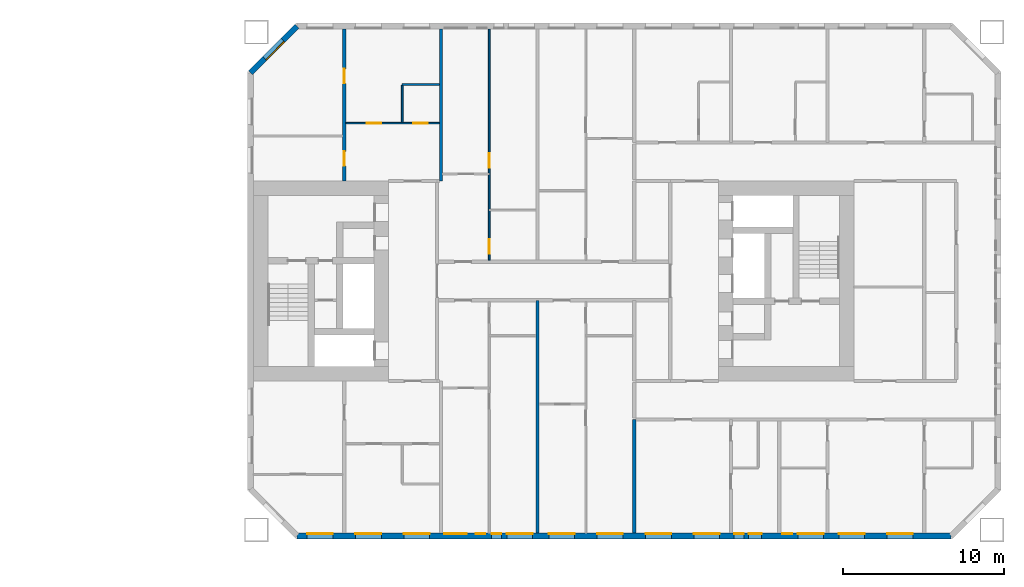
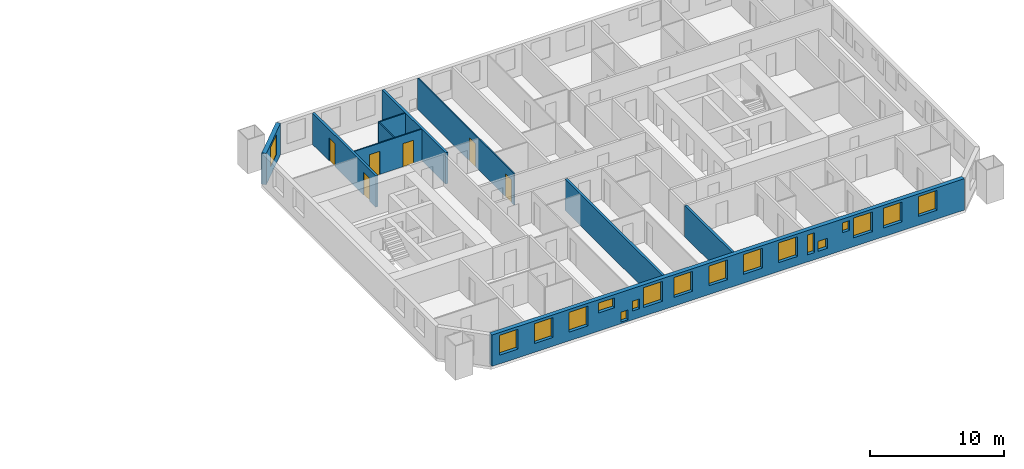
# One storey, part 11 of 17: 18 windows, 10 walls, 6 doors, 24 openings.
"""IFC4 building model written with IfcOpenShell, lengths in metres."""

from ifc_helpers import new_model, si_unit, direction, frame, frame_2d, origin, place, context, subcontext, project, spatial, rectangle, extrude, material, layer, layer_set, type_object, element, fill, save


model = new_model("IFC4")

# Units and contexts
model_context = context("Model", 3, precision=1e-05, world=origin(), true_north=direction((0.0, 1.0)))
body_context = subcontext(model_context, "Body", "Model", "MODEL_VIEW")
ifc_project = project(units=[si_unit("LENGTHUNIT", "METRE"), si_unit("AREAUNIT", "SQUARE_METRE"), si_unit("VOLUMEUNIT", "CUBIC_METRE"), si_unit("PLANEANGLEUNIT", "RADIAN"), si_unit("MASSUNIT", "GRAM", prefix="KILO")], contexts=[model_context])

# Site, building, storey
site_placement = place(None, origin())
site = spatial("IfcSite", under=ifc_project, at=site_placement, CompositionType="ELEMENT")
building_placement = place(site_placement, origin())
building = spatial("IfcBuilding", under=site, at=building_placement, Name="Tuart Gate Housing", CompositionType="ELEMENT")
storey_placement = place(building_placement, frame((0.0, 0.0, 28.800048828125)))
storey = spatial("IfcBuildingStorey", under=building, at=storey_placement, Name="L07", CompositionType="ELEMENT", Elevation=28.800048828125)

# Wall, openings, windows
ifc_material_1 = material(Name="Brick", Category="masonry")
ifc_layer_1 = layer(ifc_material_1, 0.360107421875)
ifc_layer_set_1 = layer_set([ifc_layer_1], Name="Brick pier and spandrel wall 360")
wall_type_1 = type_object("IfcWallType", Name="Brick pier and spandrel wall 360", PredefinedType="STANDARD", material=ifc_layer_set_1)
wall_1_placement = place(storey_placement, frame((134.07470703125, 54.179931640625, 0.0), z_axis=(0.0, 0.0, 1.0), x_axis=(1.0, 0.0, 0.0)))
wall_1 = element("IfcWall", 1, at=wall_1_placement, inside=storey, type_object=wall_type_1, Name="External wall B-S L07", PredefinedType="STANDARD", context=body_context, shape_type="SweptSolid", body=[
    extrude(rectangle(XDim=40.600830078125, YDim=0.360107421875, at=frame_2d((20.30029296875, 0.0))), origin(), (0.0, 0.0, 1.0), 2.849853515625),
])
opening_1_placement = place(wall_1_placement, frame((0.62548828125, 0.0, 0.800048828125)))
opening_1 = element("IfcOpeningElement", 2, at=opening_1_placement, cuts=wall_1, Name="Opening W1", PredefinedType="OPENING", context=body_context, shape_type="SweptSolid", body=[
    extrude(rectangle(XDim=1.60009765625, YDim=1.800048828125, at=frame_2d((0.800048828125, 0.89990234375))), frame((0.0, 0.18994140625, 0.0), z_axis=(0.0, -1.0, 0.0), x_axis=(1.0, 0.0, 0.0)), (0.0, 0.0, 1.0), 0.380126953125),
])
opening_2_placement = place(wall_1_placement, frame((3.62548828125, 0.0, 0.800048828125)))
opening_2 = element("IfcOpeningElement", 3, at=opening_2_placement, cuts=wall_1, Name="Opening W1", PredefinedType="OPENING", context=body_context, shape_type="SweptSolid", body=[
    extrude(rectangle(XDim=1.60009765625, YDim=1.800048828125, at=frame_2d((0.800048828125, 0.89990234375))), frame((0.0, 0.18994140625, 0.0), z_axis=(0.0, -1.0, 0.0), x_axis=(1.0, 0.0, 0.0)), (0.0, 0.0, 1.0), 0.380126953125),
])
opening_3_placement = place(wall_1_placement, frame((6.62548828125, 0.0, 0.800048828125)))
opening_3 = element("IfcOpeningElement", 4, at=opening_3_placement, cuts=wall_1, Name="Opening W1", PredefinedType="OPENING", context=body_context, shape_type="SweptSolid", body=[
    extrude(rectangle(XDim=1.60009765625, YDim=1.800048828125, at=frame_2d((0.800048828125, 0.89990234375))), frame((0.0, 0.18994140625, 0.0), z_axis=(0.0, -1.0, 0.0), x_axis=(1.0, 0.0, 0.0)), (0.0, 0.0, 1.0), 0.380126953125),
])
opening_4_placement = place(wall_1_placement, frame((9.12548828125, 0.0, 1.64990234375)))
opening_4 = element("IfcOpeningElement", 5, at=opening_4_placement, cuts=wall_1, Name="Opening W1S", PredefinedType="OPENING", context=body_context, shape_type="SweptSolid", body=[
    extrude(rectangle(XDim=1.39990234375, YDim=0.89990234375, at=frame_2d((0.699951171875, 0.449951171875))), frame((0.0, 0.18994140625, 0.0), z_axis=(0.0, -1.0, 0.0), x_axis=(1.0, 0.0, 0.0)), (0.0, 0.0, 1.0), 0.380126953125),
])
opening_5_placement = place(wall_1_placement, frame((12.075439453125, 0.0, 0.800048828125)))
opening_5 = element("IfcOpeningElement", 6, at=opening_5_placement, cuts=wall_1, Name="Opening W1W", PredefinedType="OPENING", context=body_context, shape_type="SweptSolid", body=[
    extrude(rectangle(XDim=0.60009765625, YDim=0.89990234375, at=frame_2d((0.300048828125, 0.449951171875))), frame((0.0, 0.18994140625, 0.0), z_axis=(0.0, -1.0, 0.0), x_axis=(1.0, 0.0, 0.0)), (0.0, 0.0, 1.0), 0.380126953125),
])
opening_6_placement = place(wall_1_placement, frame((15.62548828125, 0.0, 0.800048828125)))
opening_6 = element("IfcOpeningElement", 7, at=opening_6_placement, cuts=wall_1, Name="Opening W1", PredefinedType="OPENING", context=body_context, shape_type="SweptSolid", body=[
    extrude(rectangle(XDim=1.60009765625, YDim=1.800048828125, at=frame_2d((0.800048828125, 0.89990234375))), frame((0.0, 0.18994140625, 0.0), z_axis=(0.0, -1.0, 0.0), x_axis=(1.0, 0.0, 0.0)), (0.0, 0.0, 1.0), 0.380126953125),
])
opening_7_placement = place(wall_1_placement, frame((18.62548828125, 0.0, 0.800048828125)))
opening_7 = element("IfcOpeningElement", 8, at=opening_7_placement, cuts=wall_1, Name="Opening W1", PredefinedType="OPENING", context=body_context, shape_type="SweptSolid", body=[
    extrude(rectangle(XDim=1.60009765625, YDim=1.800048828125, at=frame_2d((0.800048828125, 0.89990234375))), frame((0.0, 0.18994140625, 0.0), z_axis=(0.0, -1.0, 0.0), x_axis=(1.0, 0.0, 0.0)), (0.0, 0.0, 1.0), 0.380126953125),
])
opening_8_placement = place(wall_1_placement, frame((21.62548828125, 0.0, 0.800048828125)))
opening_8 = element("IfcOpeningElement", 9, at=opening_8_placement, cuts=wall_1, Name="Opening W1", PredefinedType="OPENING", context=body_context, shape_type="SweptSolid", body=[
    extrude(rectangle(XDim=1.60009765625, YDim=1.800048828125, at=frame_2d((0.800048828125, 0.89990234375))), frame((0.0, 0.18994140625, 0.0), z_axis=(0.0, -1.0, 0.0), x_axis=(1.0, 0.0, 0.0)), (0.0, 0.0, 1.0), 0.380126953125),
])
opening_9_placement = place(wall_1_placement, frame((24.62548828125, 0.0, 0.800048828125)))
opening_9 = element("IfcOpeningElement", 10, at=opening_9_placement, cuts=wall_1, Name="Opening W1", PredefinedType="OPENING", context=body_context, shape_type="SweptSolid", body=[
    extrude(rectangle(XDim=1.60009765625, YDim=1.800048828125, at=frame_2d((0.800048828125, 0.89990234375))), frame((0.0, 0.18994140625, 0.0), z_axis=(0.0, -1.0, 0.0), x_axis=(1.0, 0.0, 0.0)), (0.0, 0.0, 1.0), 0.380126953125),
])
opening_10_placement = place(wall_1_placement, frame((27.12548828125, 0.0, 0.64990234375)))
opening_10 = element("IfcOpeningElement", 11, at=opening_10_placement, cuts=wall_1, Name="Opening W1E", PredefinedType="OPENING", context=body_context, shape_type="SweptSolid", body=[
    extrude(rectangle(XDim=0.60009765625, YDim=1.800048828125, at=frame_2d((0.300048828125, 0.89990234375))), frame((0.0, 0.18994140625, 0.0), z_axis=(0.0, -1.0, 0.0), x_axis=(1.0, 0.0, 0.0)), (0.0, 0.0, 1.0), 0.380126953125),
])
opening_11_placement = place(wall_1_placement, frame((30.12548828125, 0.0, 1.60009765625)))
opening_11 = element("IfcOpeningElement", 12, at=opening_11_placement, cuts=wall_1, Name="Opening W1W", PredefinedType="OPENING", context=body_context, shape_type="SweptSolid", body=[
    extrude(rectangle(XDim=0.60009765625, YDim=0.89990234375, at=frame_2d((0.300048828125, 0.449951171875))), frame((0.0, 0.18994140625, 0.0), z_axis=(0.0, -1.0, 0.0), x_axis=(1.0, 0.0, 0.0)), (0.0, 0.0, 1.0), 0.380126953125),
])
opening_12_placement = place(wall_1_placement, frame((33.62548828125, 0.0, 0.800048828125)))
opening_12 = element("IfcOpeningElement", 13, at=opening_12_placement, cuts=wall_1, Name="Opening W1", PredefinedType="OPENING", context=body_context, shape_type="SweptSolid", body=[
    extrude(rectangle(XDim=1.60009765625, YDim=1.800048828125, at=frame_2d((0.800048828125, 0.89990234375))), frame((0.0, 0.18994140625, 0.0), z_axis=(0.0, -1.0, 0.0), x_axis=(1.0, 0.0, 0.0)), (0.0, 0.0, 1.0), 0.380126953125),
])
opening_13_placement = place(wall_1_placement, frame((36.62548828125, 0.0, 0.800048828125)))
opening_13 = element("IfcOpeningElement", 14, at=opening_13_placement, cuts=wall_1, Name="Opening W1", PredefinedType="OPENING", context=body_context, shape_type="SweptSolid", body=[
    extrude(rectangle(XDim=1.60009765625, YDim=1.800048828125, at=frame_2d((0.800048828125, 0.89990234375))), frame((0.0, 0.18994140625, 0.0), z_axis=(0.0, -1.0, 0.0), x_axis=(1.0, 0.0, 0.0)), (0.0, 0.0, 1.0), 0.380126953125),
])
opening_14_placement = place(wall_1_placement, frame((11.075439453125, 0.0, 0.14990234375)))
opening_14 = element("IfcOpeningElement", 15, at=opening_14_placement, cuts=wall_1, Name="Opening W1W", PredefinedType="OPENING", context=body_context, shape_type="SweptSolid", body=[
    extrude(rectangle(XDim=0.60009765625, YDim=0.89990234375, at=frame_2d((0.300048828125, 0.449951171875))), frame((0.0, 0.18994140625, 0.0), z_axis=(0.0, -1.0, 0.0), x_axis=(1.0, 0.0, 0.0)), (0.0, 0.0, 1.0), 0.380126953125),
])
opening_15_placement = place(wall_1_placement, frame((13.025390625, 0.0, 0.800048828125)))
opening_15 = element("IfcOpeningElement", 16, at=opening_15_placement, cuts=wall_1, Name="Opening W1", PredefinedType="OPENING", context=body_context, shape_type="SweptSolid", body=[
    extrude(rectangle(XDim=1.60009765625, YDim=1.800048828125, at=frame_2d((0.800048828125, 0.89990234375))), frame((0.0, 0.18994140625, 0.0), z_axis=(0.0, -1.0, 0.0), x_axis=(1.0, 0.0, 0.0)), (0.0, 0.0, 1.0), 0.380126953125),
])
opening_16_placement = place(wall_1_placement, frame((28.025390625, 0.0, 0.64990234375)))
opening_16 = element("IfcOpeningElement", 17, at=opening_16_placement, cuts=wall_1, Name="Opening W1V", PredefinedType="OPENING", context=body_context, shape_type="SweptSolid", body=[
    extrude(rectangle(XDim=0.800048828125, YDim=0.89990234375, at=frame_2d((0.39990234375, 0.449951171875))), frame((0.0, 0.18994140625, 0.0), z_axis=(0.0, -1.0, 0.0), x_axis=(1.0, 0.0, 0.0)), (0.0, 0.0, 1.0), 0.380126953125),
])
opening_17_placement = place(wall_1_placement, frame((31.075439453125, 0.0, 0.800048828125)))
opening_17 = element("IfcOpeningElement", 18, at=opening_17_placement, cuts=wall_1, Name="Opening W1", PredefinedType="OPENING", context=body_context, shape_type="SweptSolid", body=[
    extrude(rectangle(XDim=1.60009765625, YDim=1.800048828125, at=frame_2d((0.800048828125, 0.89990234375))), frame((0.0, 0.18994140625, 0.0), z_axis=(0.0, -1.0, 0.0), x_axis=(1.0, 0.0, 0.0)), (0.0, 0.0, 1.0), 0.380126953125),
])
ifc_material_2 = material(Name="Aluminium frame with clear glass", Category="aluminium")
window_type_1 = type_object("IfcWindowType", Name="Punched window 1400 x 900", PartitioningType="SINGLE_PANEL", PredefinedType="WINDOW", material=ifc_material_2)
window_1_placement = place(opening_4_placement, origin())
window_1 = element("IfcWindow", 19, at=window_1_placement, inside=storey, type_object=window_type_1, Name="Window W1S", OverallHeight=0.89990234375, OverallWidth=1.39990234375, PartitioningType="SINGLE_PANEL", PredefinedType="WINDOW", context=body_context, shape_type="SweptSolid", body=[
    extrude(rectangle(XDim=1.39990234375, YDim=0.89990234375, at=frame_2d((0.699951171875, 0.449951171875))), frame((0.0, 0.150146484375, 0.0), z_axis=(0.0, -1.0, 0.0), x_axis=(1.0, 0.0, 0.0)), (0.0, 0.0, 1.0), 0.06005859375),
])
fill(opening_4, window_1)
ifc_material_3 = material(Name="Aluminium frame with clear glass", Category="aluminium")
window_type_2 = type_object("IfcWindowType", Name="Punched window 1600 x 1800", PartitioningType="SINGLE_PANEL", PredefinedType="WINDOW", material=ifc_material_3)
window_2_placement = place(opening_1_placement, origin())
window_2 = element("IfcWindow", 20, at=window_2_placement, inside=storey, type_object=window_type_2, Name="Window W1", OverallHeight=1.800048828125, OverallWidth=1.60009765625, PartitioningType="SINGLE_PANEL", PredefinedType="WINDOW", context=body_context, shape_type="SweptSolid", body=[
    extrude(rectangle(XDim=1.60009765625, YDim=1.800048828125, at=frame_2d((0.800048828125, 0.89990234375))), frame((0.0, 0.150146484375, 0.0), z_axis=(0.0, -1.0, 0.0), x_axis=(1.0, 0.0, 0.0)), (0.0, 0.0, 1.0), 0.06005859375),
])
fill(opening_1, window_2)
window_3_placement = place(opening_2_placement, origin())
window_3 = element("IfcWindow", 21, at=window_3_placement, inside=storey, type_object=window_type_2, Name="Window W1", OverallHeight=1.800048828125, OverallWidth=1.60009765625, PartitioningType="SINGLE_PANEL", PredefinedType="WINDOW", context=body_context, shape_type="SweptSolid", body=[
    extrude(rectangle(XDim=1.60009765625, YDim=1.800048828125, at=frame_2d((0.800048828125, 0.89990234375))), frame((0.0, 0.150146484375, 0.0), z_axis=(0.0, -1.0, 0.0), x_axis=(1.0, 0.0, 0.0)), (0.0, 0.0, 1.0), 0.06005859375),
])
fill(opening_2, window_3)
window_4_placement = place(opening_3_placement, origin())
window_4 = element("IfcWindow", 22, at=window_4_placement, inside=storey, type_object=window_type_2, Name="Window W1", OverallHeight=1.800048828125, OverallWidth=1.60009765625, PartitioningType="SINGLE_PANEL", PredefinedType="WINDOW", context=body_context, shape_type="SweptSolid", body=[
    extrude(rectangle(XDim=1.60009765625, YDim=1.800048828125, at=frame_2d((0.800048828125, 0.89990234375))), frame((0.0, 0.150146484375, 0.0), z_axis=(0.0, -1.0, 0.0), x_axis=(1.0, 0.0, 0.0)), (0.0, 0.0, 1.0), 0.06005859375),
])
fill(opening_3, window_4)
window_5_placement = place(opening_6_placement, origin())
window_5 = element("IfcWindow", 23, at=window_5_placement, inside=storey, type_object=window_type_2, Name="Window W1", OverallHeight=1.800048828125, OverallWidth=1.60009765625, PartitioningType="SINGLE_PANEL", PredefinedType="WINDOW", context=body_context, shape_type="SweptSolid", body=[
    extrude(rectangle(XDim=1.60009765625, YDim=1.800048828125, at=frame_2d((0.800048828125, 0.89990234375))), frame((0.0, 0.150146484375, 0.0), z_axis=(0.0, -1.0, 0.0), x_axis=(1.0, 0.0, 0.0)), (0.0, 0.0, 1.0), 0.06005859375),
])
fill(opening_6, window_5)
window_6_placement = place(opening_7_placement, origin())
window_6 = element("IfcWindow", 24, at=window_6_placement, inside=storey, type_object=window_type_2, Name="Window W1", OverallHeight=1.800048828125, OverallWidth=1.60009765625, PartitioningType="SINGLE_PANEL", PredefinedType="WINDOW", context=body_context, shape_type="SweptSolid", body=[
    extrude(rectangle(XDim=1.60009765625, YDim=1.800048828125, at=frame_2d((0.800048828125, 0.89990234375))), frame((0.0, 0.150146484375, 0.0), z_axis=(0.0, -1.0, 0.0), x_axis=(1.0, 0.0, 0.0)), (0.0, 0.0, 1.0), 0.06005859375),
])
fill(opening_7, window_6)
window_7_placement = place(opening_8_placement, origin())
window_7 = element("IfcWindow", 25, at=window_7_placement, inside=storey, type_object=window_type_2, Name="Window W1", OverallHeight=1.800048828125, OverallWidth=1.60009765625, PartitioningType="SINGLE_PANEL", PredefinedType="WINDOW", context=body_context, shape_type="SweptSolid", body=[
    extrude(rectangle(XDim=1.60009765625, YDim=1.800048828125, at=frame_2d((0.800048828125, 0.89990234375))), frame((0.0, 0.150146484375, 0.0), z_axis=(0.0, -1.0, 0.0), x_axis=(1.0, 0.0, 0.0)), (0.0, 0.0, 1.0), 0.06005859375),
])
fill(opening_8, window_7)
window_8_placement = place(opening_9_placement, origin())
window_8 = element("IfcWindow", 26, at=window_8_placement, inside=storey, type_object=window_type_2, Name="Window W1", OverallHeight=1.800048828125, OverallWidth=1.60009765625, PartitioningType="SINGLE_PANEL", PredefinedType="WINDOW", context=body_context, shape_type="SweptSolid", body=[
    extrude(rectangle(XDim=1.60009765625, YDim=1.800048828125, at=frame_2d((0.800048828125, 0.89990234375))), frame((0.0, 0.150146484375, 0.0), z_axis=(0.0, -1.0, 0.0), x_axis=(1.0, 0.0, 0.0)), (0.0, 0.0, 1.0), 0.06005859375),
])
fill(opening_9, window_8)
window_9_placement = place(opening_12_placement, origin())
window_9 = element("IfcWindow", 27, at=window_9_placement, inside=storey, type_object=window_type_2, Name="Window W1", OverallHeight=1.800048828125, OverallWidth=1.60009765625, PartitioningType="SINGLE_PANEL", PredefinedType="WINDOW", context=body_context, shape_type="SweptSolid", body=[
    extrude(rectangle(XDim=1.60009765625, YDim=1.800048828125, at=frame_2d((0.800048828125, 0.89990234375))), frame((0.0, 0.150146484375, 0.0), z_axis=(0.0, -1.0, 0.0), x_axis=(1.0, 0.0, 0.0)), (0.0, 0.0, 1.0), 0.06005859375),
])
fill(opening_12, window_9)
window_10_placement = place(opening_13_placement, origin())
window_10 = element("IfcWindow", 28, at=window_10_placement, inside=storey, type_object=window_type_2, Name="Window W1", OverallHeight=1.800048828125, OverallWidth=1.60009765625, PartitioningType="SINGLE_PANEL", PredefinedType="WINDOW", context=body_context, shape_type="SweptSolid", body=[
    extrude(rectangle(XDim=1.60009765625, YDim=1.800048828125, at=frame_2d((0.800048828125, 0.89990234375))), frame((0.0, 0.150146484375, 0.0), z_axis=(0.0, -1.0, 0.0), x_axis=(1.0, 0.0, 0.0)), (0.0, 0.0, 1.0), 0.06005859375),
])
fill(opening_13, window_10)
window_11_placement = place(opening_15_placement, origin())
window_11 = element("IfcWindow", 29, at=window_11_placement, inside=storey, type_object=window_type_2, Name="Window W1", OverallHeight=1.800048828125, OverallWidth=1.60009765625, PartitioningType="SINGLE_PANEL", PredefinedType="WINDOW", context=body_context, shape_type="SweptSolid", body=[
    extrude(rectangle(XDim=1.60009765625, YDim=1.800048828125, at=frame_2d((0.800048828125, 0.89990234375))), frame((0.0, 0.150146484375, 0.0), z_axis=(0.0, -1.0, 0.0), x_axis=(1.0, 0.0, 0.0)), (0.0, 0.0, 1.0), 0.06005859375),
])
fill(opening_15, window_11)
window_12_placement = place(opening_17_placement, origin())
window_12 = element("IfcWindow", 30, at=window_12_placement, inside=storey, type_object=window_type_2, Name="Window W1", OverallHeight=1.800048828125, OverallWidth=1.60009765625, PartitioningType="SINGLE_PANEL", PredefinedType="WINDOW", context=body_context, shape_type="SweptSolid", body=[
    extrude(rectangle(XDim=1.60009765625, YDim=1.800048828125, at=frame_2d((0.800048828125, 0.89990234375))), frame((0.0, 0.150146484375, 0.0), z_axis=(0.0, -1.0, 0.0), x_axis=(1.0, 0.0, 0.0)), (0.0, 0.0, 1.0), 0.06005859375),
])
fill(opening_17, window_12)
ifc_material_4 = material(Name="Aluminium frame with clear glass", Category="aluminium")
window_type_3 = type_object("IfcWindowType", Name="Punched window 600 x 1800", PartitioningType="SINGLE_PANEL", PredefinedType="WINDOW", material=ifc_material_4)
window_13_placement = place(opening_10_placement, origin())
window_13 = element("IfcWindow", 31, at=window_13_placement, inside=storey, type_object=window_type_3, Name="Window W1E", OverallHeight=1.800048828125, OverallWidth=0.60009765625, PartitioningType="SINGLE_PANEL", PredefinedType="WINDOW", context=body_context, shape_type="SweptSolid", body=[
    extrude(rectangle(XDim=0.60009765625, YDim=1.800048828125, at=frame_2d((0.300048828125, 0.89990234375))), frame((0.0, 0.150146484375, 0.0), z_axis=(0.0, -1.0, 0.0), x_axis=(1.0, 0.0, 0.0)), (0.0, 0.0, 1.0), 0.06005859375),
])
fill(opening_10, window_13)
ifc_material_5 = material(Name="Aluminium frame with clear glass", Category="aluminium")
window_type_4 = type_object("IfcWindowType", Name="Punched window 600 x 900", PartitioningType="SINGLE_PANEL", PredefinedType="WINDOW", material=ifc_material_5)
window_14_placement = place(opening_5_placement, origin())
window_14 = element("IfcWindow", 32, at=window_14_placement, inside=storey, type_object=window_type_4, Name="Window W1W", OverallHeight=0.89990234375, OverallWidth=0.60009765625, PartitioningType="SINGLE_PANEL", PredefinedType="WINDOW", context=body_context, shape_type="SweptSolid", body=[
    extrude(rectangle(XDim=0.60009765625, YDim=0.89990234375, at=frame_2d((0.300048828125, 0.449951171875))), frame((0.0, 0.150146484375, 0.0), z_axis=(0.0, -1.0, 0.0), x_axis=(1.0, 0.0, 0.0)), (0.0, 0.0, 1.0), 0.06005859375),
])
fill(opening_5, window_14)
window_15_placement = place(opening_11_placement, origin())
window_15 = element("IfcWindow", 33, at=window_15_placement, inside=storey, type_object=window_type_4, Name="Window W1W", OverallHeight=0.89990234375, OverallWidth=0.60009765625, PartitioningType="SINGLE_PANEL", PredefinedType="WINDOW", context=body_context, shape_type="SweptSolid", body=[
    extrude(rectangle(XDim=0.60009765625, YDim=0.89990234375, at=frame_2d((0.300048828125, 0.449951171875))), frame((0.0, 0.150146484375, 0.0), z_axis=(0.0, -1.0, 0.0), x_axis=(1.0, 0.0, 0.0)), (0.0, 0.0, 1.0), 0.06005859375),
])
fill(opening_11, window_15)
window_16_placement = place(opening_14_placement, origin())
window_16 = element("IfcWindow", 34, at=window_16_placement, inside=storey, type_object=window_type_4, Name="Window W1W", OverallHeight=0.89990234375, OverallWidth=0.60009765625, PartitioningType="SINGLE_PANEL", PredefinedType="WINDOW", context=body_context, shape_type="SweptSolid", body=[
    extrude(rectangle(XDim=0.60009765625, YDim=0.89990234375, at=frame_2d((0.300048828125, 0.449951171875))), frame((0.0, 0.150146484375, 0.0), z_axis=(0.0, -1.0, 0.0), x_axis=(1.0, 0.0, 0.0)), (0.0, 0.0, 1.0), 0.06005859375),
])
fill(opening_14, window_16)
ifc_material_6 = material(Name="Aluminium frame with clear glass", Category="aluminium")
window_type_5 = type_object("IfcWindowType", Name="Punched window 800 x 900", PartitioningType="SINGLE_PANEL", PredefinedType="WINDOW", material=ifc_material_6)
window_17_placement = place(opening_16_placement, origin())
window_17 = element("IfcWindow", 35, at=window_17_placement, inside=storey, type_object=window_type_5, Name="Window W1V", OverallHeight=0.89990234375, OverallWidth=0.800048828125, PartitioningType="SINGLE_PANEL", PredefinedType="WINDOW", context=body_context, shape_type="SweptSolid", body=[
    extrude(rectangle(XDim=0.800048828125, YDim=0.89990234375, at=frame_2d((0.39990234375, 0.449951171875))), frame((0.0, 0.150146484375, 0.0), z_axis=(0.0, -1.0, 0.0), x_axis=(1.0, 0.0, 0.0)), (0.0, 0.0, 1.0), 0.06005859375),
])
fill(opening_16, window_17)

# Wall, opening, window
wall_2_placement = place(storey_placement, frame((134.07470703125, 85.820068359375, 0.0), z_axis=(0.0, 0.0, 1.0), x_axis=(-0.707106781187, -0.707106781187, 0.0)))
wall_2 = element("IfcWall", 36, at=wall_2_placement, inside=storey, type_object=wall_type_1, Name="External wall B-NW L07", PredefinedType="STANDARD", context=body_context, shape_type="SweptSolid", body=[
    extrude(rectangle(XDim=4.09375, YDim=0.360107421875, at=frame_2d((2.046875, 0.0))), origin(), (0.0, 0.0, 1.0), 2.849853515625),
])
opening_18_placement = place(wall_2_placement, frame((1.2470703125, 0.0, 0.800048828125)))
opening_18 = element("IfcOpeningElement", 37, at=opening_18_placement, cuts=wall_2, Name="Opening W1", PredefinedType="OPENING", context=body_context, shape_type="SweptSolid", body=[
    extrude(rectangle(XDim=1.60009765625, YDim=1.800048828125, at=frame_2d((0.800048828125, 0.89990234375))), frame((0.0, 0.18994140625, 0.0), z_axis=(0.0, -1.0, 0.0), x_axis=(1.0, 0.0, 0.0)), (0.0, 0.0, 1.0), 0.380126953125),
])
window_18_placement = place(opening_18_placement, origin())
window_18 = element("IfcWindow", 38, at=window_18_placement, inside=storey, type_object=window_type_2, Name="Window W1", OverallHeight=1.800048828125, OverallWidth=1.60009765625, PartitioningType="SINGLE_PANEL", PredefinedType="WINDOW", context=body_context, shape_type="SweptSolid", body=[
    extrude(rectangle(XDim=1.60009765625, YDim=1.800048828125, at=frame_2d((0.800048828125, 0.89990234375))), frame((0.0, 0.150146484375, 0.0), z_axis=(0.0, -1.0, 0.0), x_axis=(1.0, 0.0, 0.0)), (0.0, 0.0, 1.0), 0.06005859375),
])
fill(opening_18, window_18)

# Wall, openings, doors
ifc_material_7 = material(Name="Gypsum board on steel studs", Category="steel")
ifc_layer_2 = layer(ifc_material_7, 0.10009765625)
ifc_layer_set_2 = layer_set([ifc_layer_2], Name="Partition 100")
wall_type_2 = type_object("IfcWallType", Name="Partition 100", PredefinedType="PARTITIONING", material=ifc_layer_set_2)
wall_3_placement = place(storey_placement, frame((137.10009765625, 79.800048828125, 0.0), z_axis=(0.0, 0.0, 1.0), x_axis=(1.0, 0.0, 0.0)))
wall_3 = element("IfcWall", 39, at=wall_3_placement, inside=storey, type_object=wall_type_2, Name="Partition 100", PredefinedType="PARTITIONING", context=body_context, shape_type="SweptSolid", body=[
    extrude(rectangle(XDim=5.7998046875, YDim=0.10009765625, at=frame_2d((2.89990234375, 0.0))), origin(), (0.0, 0.0, 1.0), 2.849853515625),
])
opening_19_placement = place(wall_3_placement, frame((1.300048828125, 0.0, 0.0)))
opening_19 = element("IfcOpeningElement", 40, at=opening_19_placement, cuts=wall_3, Name="Opening D539", PredefinedType="OPENING", context=body_context, shape_type="SweptSolid", body=[
    extrude(rectangle(XDim=0.89990234375, YDim=2.10009765625, at=frame_2d((0.449951171875, 1.050048828125))), frame((0.0, 0.06005859375, 0.0), z_axis=(0.0, -1.0, 0.0), x_axis=(1.0, 0.0, 0.0)), (0.0, 0.0, 1.0), 0.1201171875),
])
opening_20_placement = place(wall_3_placement, frame((4.199951171875, 0.0, 0.0)))
opening_20 = element("IfcOpeningElement", 41, at=opening_20_placement, cuts=wall_3, Name="Opening D538", PredefinedType="OPENING", context=body_context, shape_type="SweptSolid", body=[
    extrude(rectangle(XDim=0.89990234375, YDim=2.10009765625, at=frame_2d((0.449951171875, 1.050048828125))), frame((0.0, 0.06005859375, 0.0), z_axis=(0.0, -1.0, 0.0), x_axis=(1.0, 0.0, 0.0)), (0.0, 0.0, 1.0), 0.1201171875),
])
ifc_material_8 = material(Name="Timber door leaf in steel frame", Category="steel")
door_type_1 = type_object("IfcDoorType", Name="Bathroom door 900", OperationType="SINGLE_SWING_LEFT", PredefinedType="DOOR", material=ifc_material_8)
door_1_placement = place(opening_20_placement, origin())
door_1 = element("IfcDoor", 42, at=door_1_placement, inside=storey, type_object=door_type_1, Name="Bathroom door", OperationType="SINGLE_SWING_LEFT", OverallHeight=2.10009765625, OverallWidth=0.89990234375, PredefinedType="DOOR", context=body_context, shape_type="SweptSolid", body=[
    extrude(rectangle(XDim=0.89990234375, YDim=2.10009765625, at=frame_2d((0.449951171875, 1.050048828125))), frame((0.0, 0.02490234375, 0.0), z_axis=(0.0, -1.0, 0.0), x_axis=(1.0, 0.0, 0.0)), (0.0, 0.0, 1.0), 0.050048828125),
])
fill(opening_20, door_1)
ifc_material_9 = material(Name="Timber door leaf in steel frame", Category="steel")
door_type_2 = type_object("IfcDoorType", Name="Internal door 900 RH", OperationType="SINGLE_SWING_RIGHT", PredefinedType="DOOR", material=ifc_material_9)
door_2_placement = place(opening_19_placement, frame((0.89990234375, 0.0, 0.0), z_axis=(0.0, 0.0, 1.0), x_axis=(-1.0, 0.0, 0.0)))
door_2 = element("IfcDoor", 43, at=door_2_placement, inside=storey, type_object=door_type_2, Name="Internal door", OperationType="SINGLE_SWING_RIGHT", OverallHeight=2.10009765625, OverallWidth=0.89990234375, PredefinedType="DOOR", context=body_context, shape_type="SweptSolid", body=[
    extrude(rectangle(XDim=0.89990234375, YDim=2.10009765625, at=frame_2d((0.449951171875, 1.050048828125))), frame((0.0, 0.025146484375, 0.0), z_axis=(0.0, -1.0, 0.0), x_axis=(1.0, 0.0, 0.0)), (0.0, 0.0, 1.0), 0.050048828125),
])
fill(opening_19, door_2)

# Walls
for number, where, z_axis, x_axis, name in (
    (44, (140.60009765625, 82.199951171875, 0.0), (0.0, 0.0, 1.0), (1.0, 0.0, 0.0), "Partition 100"),
    (45, (140.60009765625, 79.85009765625, 0.0), (0.0, 0.0, 1.0), (0.0, 1.0, 0.0), "Partition 100"),
):
    element("IfcWall", number, at=place(storey_placement, frame(where, z_axis=z_axis, x_axis=x_axis)), inside=storey, type_object=wall_type_2, Name=name, PredefinedType="PARTITIONING", context=body_context, shape_type="SweptSolid", body=[
        extrude(rectangle(XDim=2.2998046875, YDim=0.10009765625, at=frame_2d((1.14990234375, 0.0))), origin(), (0.0, 0.0, 1.0), 2.849853515625),
    ])

# Wall, openings, doors
wall_4_placement = place(storey_placement, frame((146.0, 71.300048828125, 0.0), z_axis=(0.0, 0.0, 1.0), x_axis=(0.0, 1.0, 0.0)))
wall_4 = element("IfcWall", 46, at=wall_4_placement, inside=storey, type_object=wall_type_2, Name="Partition 100", PredefinedType="PARTITIONING", context=body_context, shape_type="SweptSolid", body=[
    extrude(rectangle(XDim=14.33984375, YDim=0.10009765625, at=frame_2d((7.169921875, 0.0))), origin(), (0.0, 0.0, 1.0), 2.849853515625),
])
opening_21_placement = place(wall_4_placement, frame((5.739990234375, 0.0, 0.0)))
opening_21 = element("IfcOpeningElement", 47, at=opening_21_placement, cuts=wall_4, Name="Opening D545", PredefinedType="OPENING", context=body_context, shape_type="SweptSolid", body=[
    extrude(rectangle(XDim=0.89990234375, YDim=2.10009765625, at=frame_2d((0.449951171875, 1.050048828125))), frame((0.0, 0.06005859375, 0.0), z_axis=(0.0, -1.0, 0.0), x_axis=(1.0, 0.0, 0.0)), (0.0, 0.0, 1.0), 0.1201171875),
])
opening_22_placement = place(wall_4_placement, frame((0.39990234375, 0.0, 0.0)))
opening_22 = element("IfcOpeningElement", 48, at=opening_22_placement, cuts=wall_4, Name="Opening D544", PredefinedType="OPENING", context=body_context, shape_type="SweptSolid", body=[
    extrude(rectangle(XDim=0.89990234375, YDim=2.10009765625, at=frame_2d((0.449951171875, 1.050048828125))), frame((0.0, 0.06005859375, 0.0), z_axis=(0.0, -1.0, 0.0), x_axis=(1.0, 0.0, 0.0)), (0.0, 0.0, 1.0), 0.1201171875),
])
ifc_material_10 = material(Name="Timber door leaf in steel frame", Category="steel")
door_type_3 = type_object("IfcDoorType", Name="Bathroom door 900 RH", OperationType="SINGLE_SWING_RIGHT", PredefinedType="DOOR", material=ifc_material_10)
door_3_placement = place(opening_22_placement, frame((0.89990234375, 0.0, 0.0), z_axis=(0.0, 0.0, 1.0), x_axis=(-1.0, 0.0, 0.0)))
door_3 = element("IfcDoor", 49, at=door_3_placement, inside=storey, type_object=door_type_3, Name="Bathroom door", OperationType="SINGLE_SWING_RIGHT", OverallHeight=2.10009765625, OverallWidth=0.89990234375, PredefinedType="DOOR", context=body_context, shape_type="SweptSolid", body=[
    extrude(rectangle(XDim=0.89990234375, YDim=2.10009765625, at=frame_2d((0.449951171875, 1.050048828125))), frame((0.0, 0.025146484375, 0.0), z_axis=(0.0, -1.0, 0.0), x_axis=(1.0, 0.0, 0.0)), (0.0, 0.0, 1.0), 0.050048828125),
])
fill(opening_22, door_3)
door_4_placement = place(opening_21_placement, frame((0.89990234375, 0.0, 0.0), z_axis=(0.0, 0.0, 1.0), x_axis=(-1.0, 0.0, 0.0)))
door_4 = element("IfcDoor", 50, at=door_4_placement, inside=storey, type_object=door_type_2, Name="Internal door", OperationType="SINGLE_SWING_RIGHT", OverallHeight=2.10009765625, OverallWidth=0.89990234375, PredefinedType="DOOR", context=body_context, shape_type="SweptSolid", body=[
    extrude(rectangle(XDim=0.89990234375, YDim=2.10009765625, at=frame_2d((0.449951171875, 1.050048828125))), frame((0.0, 0.025146484375, 0.0), z_axis=(0.0, -1.0, 0.0), x_axis=(1.0, 0.0, 0.0)), (0.0, 0.0, 1.0), 0.050048828125),
])
fill(opening_21, door_4)

ifc_material_11 = material(Name="Concrete C40", Category="concrete")
ifc_layer_3 = layer(ifc_material_11, 0.199951171875)
ifc_layer_set_3 = layer_set([ifc_layer_3], Name="Party wall concrete C40 200")
wall_type_3 = type_object("IfcWallType", Name="Party wall concrete C40 200", PredefinedType="SOLIDWALL", material=ifc_layer_set_3)
wall_5_placement = place(storey_placement, frame((137.0, 76.199951171875, 0.0), z_axis=(0.0, 0.0, 1.0), x_axis=(0.0, 1.0, 0.0)))
wall_5 = element("IfcWall", 51, at=wall_5_placement, inside=storey, type_object=wall_type_3, Name="Party wall concrete C40 200", PredefinedType="SOLIDWALL", context=body_context, shape_type="SweptSolid", body=[
    extrude(rectangle(XDim=9.43994140625, YDim=0.199951171875, at=frame_2d((4.719970703125, 0.0))), origin(), (0.0, 0.0, 1.0), 2.849853515625),
])
opening_23_placement = place(wall_5_placement, frame((6.070068359375, 0.0, 0.0)))
opening_23 = element("IfcOpeningElement", 52, at=opening_23_placement, cuts=wall_5, Name="Opening D534", PredefinedType="OPENING", context=body_context, shape_type="SweptSolid", body=[
    extrude(rectangle(XDim=0.89990234375, YDim=2.10009765625, at=frame_2d((0.449951171875, 1.050048828125))), frame((0.0, 0.10986328125, 0.0), z_axis=(0.0, -1.0, 0.0), x_axis=(1.0, 0.0, 0.0)), (0.0, 0.0, 1.0), 0.219970703125),
])
opening_24_placement = place(wall_5_placement, frame((0.949951171875, 0.0, 0.0)))
opening_24 = element("IfcOpeningElement", 53, at=opening_24_placement, cuts=wall_5, Name="Opening D535", PredefinedType="OPENING", context=body_context, shape_type="SweptSolid", body=[
    extrude(rectangle(XDim=0.89990234375, YDim=2.10009765625, at=frame_2d((0.449951171875, 1.050048828125))), frame((0.0, 0.10986328125, 0.0), z_axis=(0.0, -1.0, 0.0), x_axis=(1.0, 0.0, 0.0)), (0.0, 0.0, 1.0), 0.219970703125),
])
ifc_material_12 = material(Name="Timber door leaf in steel frame", Category="steel")
door_type_4 = type_object("IfcDoorType", Name="Internal door 900", OperationType="SINGLE_SWING_LEFT", PredefinedType="DOOR", material=ifc_material_12)
door_5_placement = place(opening_24_placement, origin())
door_5 = element("IfcDoor", 54, at=door_5_placement, inside=storey, type_object=door_type_4, Name="Internal door", OperationType="SINGLE_SWING_LEFT", OverallHeight=2.10009765625, OverallWidth=0.89990234375, PredefinedType="DOOR", context=body_context, shape_type="SweptSolid", body=[
    extrude(rectangle(XDim=0.89990234375, YDim=2.10009765625, at=frame_2d((0.449951171875, 1.050048828125))), frame((0.0, 0.02490234375, 0.0), z_axis=(0.0, -1.0, 0.0), x_axis=(1.0, 0.0, 0.0)), (0.0, 0.0, 1.0), 0.050048828125),
])
fill(opening_24, door_5)
door_6_placement = place(opening_23_placement, origin())
door_6 = element("IfcDoor", 55, at=door_6_placement, inside=storey, type_object=door_type_2, Name="Internal door", OperationType="SINGLE_SWING_RIGHT", OverallHeight=2.10009765625, OverallWidth=0.89990234375, PredefinedType="DOOR", context=body_context, shape_type="SweptSolid", body=[
    extrude(rectangle(XDim=0.89990234375, YDim=2.10009765625, at=frame_2d((0.449951171875, 1.050048828125))), frame((0.0, 0.02490234375, 0.0), z_axis=(0.0, -1.0, 0.0), x_axis=(1.0, 0.0, 0.0)), (0.0, 0.0, 1.0), 0.050048828125),
])
fill(opening_23, door_6)

# Walls
wall_6_placement = place(storey_placement, frame((143.0, 76.199951171875, 0.0), z_axis=(0.0, 0.0, 1.0), x_axis=(0.0, 1.0, 0.0)))
element("IfcWall", 56, at=wall_6_placement, inside=storey, type_object=wall_type_3, Name="Party wall concrete C40 200", PredefinedType="SOLIDWALL", context=body_context, shape_type="SweptSolid", body=[
    extrude(rectangle(XDim=9.43994140625, YDim=0.199951171875, at=frame_2d((4.719970703125, 0.0))), origin(), (0.0, 0.0, 1.0), 2.849853515625),
])
wall_7_placement = place(storey_placement, frame((149.0, 54.360107421875, 0.0), z_axis=(0.0, 0.0, 1.0), x_axis=(0.0, 1.0, 0.0)))
element("IfcWall", 57, at=wall_7_placement, inside=storey, type_object=wall_type_3, Name="Party wall concrete C40 200", PredefinedType="SOLIDWALL", context=body_context, shape_type="SweptSolid", body=[
    extrude(rectangle(XDim=14.43994140625, YDim=0.199951171875, at=frame_2d((7.219970703125, 0.0))), origin(), (0.0, 0.0, 1.0), 2.849853515625),
])
wall_8_placement = place(storey_placement, frame((155.0, 54.360107421875, 0.0), z_axis=(0.0, 0.0, 1.0), x_axis=(0.0, 1.0, 0.0)))
element("IfcWall", 58, at=wall_8_placement, inside=storey, type_object=wall_type_3, Name="Party wall concrete C40 200", PredefinedType="SOLIDWALL", context=body_context, shape_type="SweptSolid", body=[
    extrude(rectangle(XDim=7.039794921875, YDim=0.199951171875, at=frame_2d((3.52001953125, 0.0))), origin(), (0.0, 0.0, 1.0), 2.849853515625),
])

save(model, "model.ifc")
